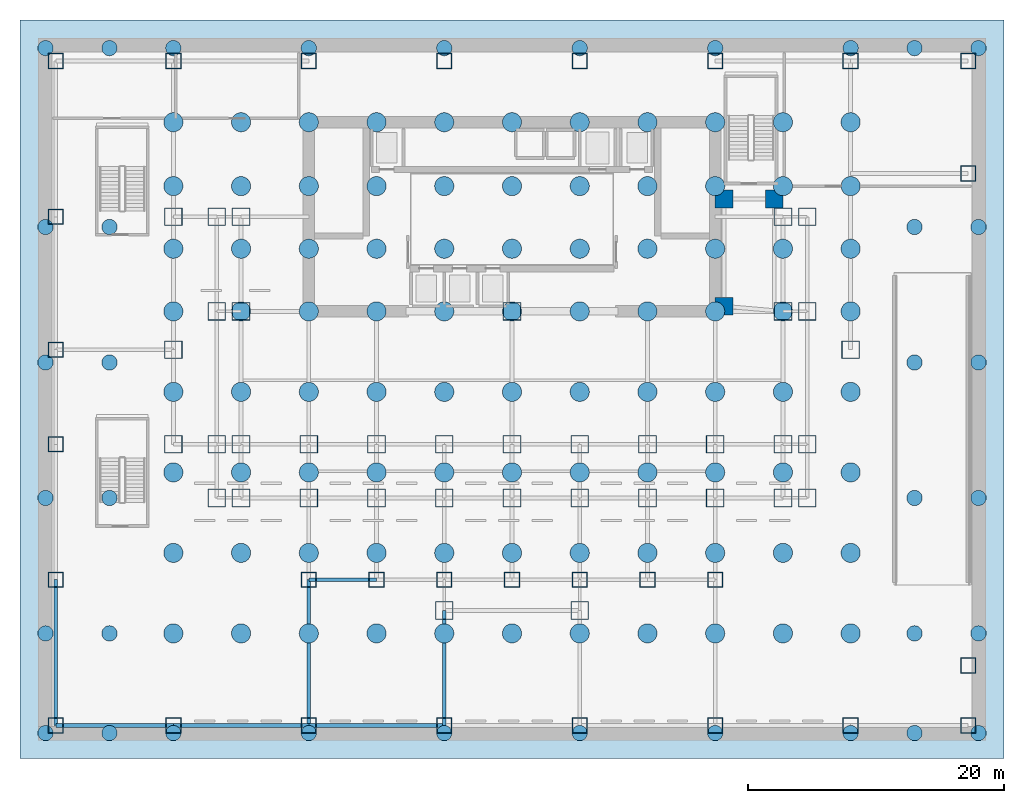
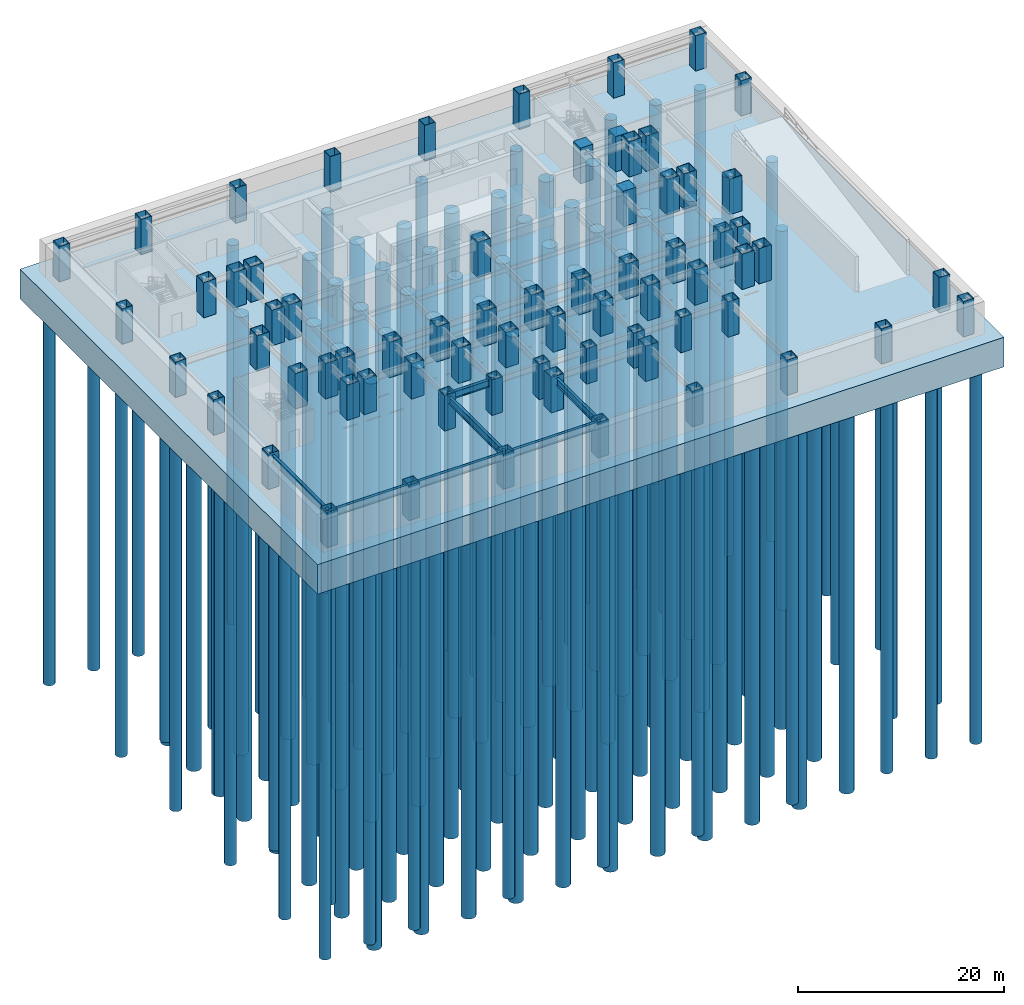
# One storey, part 1 of 7: 124 piles, 69 columns, 7 beams, 1 footing.
"""IFC4 building model written with IfcOpenShell, lengths in metres."""

from ifc_helpers import new_model, si_unit, direction, frame, origin, origin_2d, place, context, subcontext, project, spatial, polyline, rectangle, hollow_rectangle, circle, i_section, outline, extrude, material, layer, layer_set, material_profile, profile_set, type_object, element, save


model = new_model("IFC4")

# Units and contexts
model_context = context("Model", 3, precision=1e-05, world=origin(), true_north=direction((0.0, 1.0)))
body_context = subcontext(model_context, "Body", "Model", "MODEL_VIEW")
ifc_project = project(units=[si_unit("LENGTHUNIT", "METRE"), si_unit("AREAUNIT", "SQUARE_METRE"), si_unit("VOLUMEUNIT", "CUBIC_METRE"), si_unit("PLANEANGLEUNIT", "RADIAN"), si_unit("MASSUNIT", "GRAM", prefix="KILO")], contexts=[model_context])

# Site, building, storey
site_placement = place(None, origin())
site = spatial("IfcSite", under=ifc_project, at=site_placement, CompositionType="ELEMENT")
building_placement = place(site_placement, origin())
building = spatial("IfcBuilding", under=site, at=building_placement, Name="Qianlan Lanfeng Residences", CompositionType="ELEMENT")
storey_placement = place(building_placement, frame((0.0, 0.0, -8.39990234375)))
storey = spatial("IfcBuildingStorey", under=building, at=storey_placement, Name="B2", CompositionType="ELEMENT", Elevation=-8.39990234375)

# Piles
ifc_material_1 = material(Name="Concrete C42", Category="concrete")
ifc_material_profile_1 = material_profile(ifc_material_1, circle(Radius=0.60009765625, at=origin_2d()), Name="PILE D1200")
ifc_profile_set_1 = profile_set([ifc_material_profile_1], Name="Concrete C42")
pile_type_1 = type_object("IfcPileType", Name="BP-1200", PredefinedType="BORED", material=ifc_profile_set_1)
for number, where, z_axis, x_axis, name in (
    (1, (-10.0, -7.800048828125, -3.375), (0.0, 0.0, -1.0), (1.0, 0.0, 0.0), "Bored Foundation Pile BP12-001"),
    (2, (-10.0, 0.0, -3.375), (0.0, 0.0, -1.0), (1.0, 0.0, 0.0), "Bored Foundation Pile BP12-002"),
    (3, (-10.0, 10.60009765625, -3.375), (0.0, 0.0, -1.0), (1.0, 0.0, 0.0), "Bored Foundation Pile BP12-003"),
    (4, (-10.0, 21.199951171875, -3.375), (0.0, 0.0, -1.0), (1.0, 0.0, 0.0), "Bored Foundation Pile BP12-004"),
    (5, (-10.0, 31.800048828125, -3.375), (0.0, 0.0, -1.0), (1.0, 0.0, 0.0), "Bored Foundation Pile BP12-005"),
    (6, (-10.0, 45.800048828125, -3.375), (0.0, 0.0, -1.0), (1.0, 0.0, 0.0), "Bored Foundation Pile BP12-006"),
    (7, (-5.0, -7.800048828125, -3.375), (0.0, 0.0, -1.0), (1.0, 0.0, 0.0), "Bored Foundation Pile BP12-007"),
    (8, (-5.0, 0.0, -3.375), (0.0, 0.0, -1.0), (1.0, 0.0, 0.0), "Bored Foundation Pile BP12-008"),
    (9, (-5.0, 10.60009765625, -3.375), (0.0, 0.0, -1.0), (1.0, 0.0, 0.0), "Bored Foundation Pile BP12-009"),
    (10, (-5.0, 21.199951171875, -3.375), (0.0, 0.0, -1.0), (1.0, 0.0, 0.0), "Bored Foundation Pile BP12-010"),
    (11, (-5.0, 31.800048828125, -3.375), (0.0, 0.0, -1.0), (1.0, 0.0, 0.0), "Bored Foundation Pile BP12-011"),
    (12, (-5.0, 45.800048828125, -3.375), (0.0, 0.0, -1.0), (1.0, 0.0, 0.0), "Bored Foundation Pile BP12-012"),
    (13, (0.0, -7.800048828125, -3.375), (0.0, 0.0, -1.0), (1.0, 0.0, 0.0), "Bored Foundation Pile BP12-013"),
    (14, (0.0, 45.800048828125, -3.375), (0.0, 0.0, -1.0), (1.0, 0.0, 0.0), "Bored Foundation Pile BP12-014"),
    (15, (10.60009765625, -7.800048828125, -3.375), (0.0, 0.0, -1.0), (1.0, 0.0, 0.0), "Bored Foundation Pile BP12-015"),
    (16, (10.60009765625, 45.800048828125, -3.375), (0.0, 0.0, -1.0), (1.0, 0.0, 0.0), "Bored Foundation Pile BP12-016"),
    (17, (21.199951171875, -7.800048828125, -3.375), (0.0, 0.0, -1.0), (1.0, 0.0, 0.0), "Bored Foundation Pile BP12-017"),
    (18, (21.199951171875, 45.800048828125, -3.375), (0.0, 0.0, -1.0), (1.0, 0.0, 0.0), "Bored Foundation Pile BP12-018"),
    (19, (31.800048828125, -7.800048828125, -3.375), (0.0, 0.0, -1.0), (1.0, 0.0, 0.0), "Bored Foundation Pile BP12-019"),
    (20, (31.800048828125, 45.800048828125, -3.375), (0.0, 0.0, -1.0), (1.0, 0.0, 0.0), "Bored Foundation Pile BP12-020"),
    (21, (42.39990234375, -7.800048828125, -3.375), (0.0, 0.0, -1.0), (1.0, 0.0, 0.0), "Bored Foundation Pile BP12-021"),
    (22, (42.39990234375, 45.800048828125, -3.375), (0.0, 0.0, -1.0), (1.0, 0.0, 0.0), "Bored Foundation Pile BP12-022"),
    (23, (53.0, -7.800048828125, -3.375), (0.0, 0.0, -1.0), (1.0, 0.0, 0.0), "Bored Foundation Pile BP12-023"),
    (24, (53.0, 45.800048828125, -3.375), (0.0, 0.0, -1.0), (1.0, 0.0, 0.0), "Bored Foundation Pile BP12-024"),
    (25, (58.0, -7.800048828125, -3.375), (0.0, 0.0, -1.0), (1.0, 0.0, 0.0), "Bored Foundation Pile BP12-025"),
    (26, (58.0, 0.0, -3.375), (0.0, 0.0, -1.0), (1.0, 0.0, 0.0), "Bored Foundation Pile BP12-026"),
    (27, (58.0, 10.60009765625, -3.375), (0.0, 0.0, -1.0), (1.0, 0.0, 0.0), "Bored Foundation Pile BP12-027"),
    (28, (58.0, 21.199951171875, -3.375), (0.0, 0.0, -1.0), (1.0, 0.0, 0.0), "Bored Foundation Pile BP12-028"),
    (29, (58.0, 31.800048828125, -3.375), (0.0, 0.0, -1.0), (1.0, 0.0, 0.0), "Bored Foundation Pile BP12-029"),
    (30, (58.0, 45.800048828125, -3.375), (0.0, 0.0, -1.0), (1.0, 0.0, 0.0), "Bored Foundation Pile BP12-030"),
    (31, (63.0, -7.800048828125, -3.375), (0.0, 0.0, -1.0), (1.0, 0.0, 0.0), "Bored Foundation Pile BP12-031"),
    (32, (63.0, 0.0, -3.375), (0.0, 0.0, -1.0), (1.0, 0.0, 0.0), "Bored Foundation Pile BP12-032"),
    (33, (63.0, 10.60009765625, -3.375), (0.0, 0.0, -1.0), (1.0, 0.0, 0.0), "Bored Foundation Pile BP12-033"),
    (34, (63.0, 21.199951171875, -3.375), (0.0, 0.0, -1.0), (1.0, 0.0, 0.0), "Bored Foundation Pile BP12-034"),
    (35, (63.0, 31.800048828125, -3.375), (0.0, 0.0, -1.0), (1.0, 0.0, 0.0), "Bored Foundation Pile BP12-035"),
    (36, (63.0, 45.800048828125, -3.375), (0.0, 0.0, -1.0), (1.0, 0.0, 0.0), "Bored Foundation Pile BP12-036"),
):
    element("IfcPile", number, at=place(storey_placement, frame(where, z_axis=z_axis, x_axis=x_axis)), inside=storey, type_object=pile_type_1, Name=name, PredefinedType="BORED", context=body_context, shape_type="SweptSolid", body=[
        extrude(circle(Radius=0.60009765625, at=origin_2d()), origin(), (0.0, 0.0, 1.0), 45.0),
    ])
ifc_material_profile_2 = material_profile(ifc_material_1, circle(Radius=0.75, at=origin_2d()), Name="PILE D1500")
ifc_profile_set_2 = profile_set([ifc_material_profile_2], Name="Concrete C42")
pile_type_2 = type_object("IfcPileType", Name="BP-1500", PredefinedType="BORED", material=ifc_profile_set_2)
for number, where, z_axis, x_axis, name in (
    (37, (0.0, 0.0, -3.375), (0.0, 0.0, -1.0), (1.0, 0.0, 0.0), "Bored Foundation Pile BP15-001"),
    (38, (0.0, 6.300048828125, -3.375), (0.0, 0.0, -1.0), (1.0, 0.0, 0.0), "Bored Foundation Pile BP15-002"),
    (39, (0.0, 12.60009765625, -3.375), (0.0, 0.0, -1.0), (1.0, 0.0, 0.0), "Bored Foundation Pile BP15-003"),
    (40, (0.0, 18.89990234375, -3.375), (0.0, 0.0, -1.0), (1.0, 0.0, 0.0), "Bored Foundation Pile BP15-004"),
    (41, (0.0, 25.199951171875, -3.375), (0.0, 0.0, -1.0), (1.0, 0.0, 0.0), "Bored Foundation Pile BP15-005"),
    (42, (0.0, 30.10009765625, -3.375), (0.0, 0.0, -1.0), (1.0, 0.0, 0.0), "Bored Foundation Pile BP15-006"),
    (43, (0.0, 35.0, -3.375), (0.0, 0.0, -1.0), (1.0, 0.0, 0.0), "Bored Foundation Pile BP15-007"),
    (44, (0.0, 40.0, -3.375), (0.0, 0.0, -1.0), (1.0, 0.0, 0.0), "Bored Foundation Pile BP15-008"),
    (45, (5.300048828125, 0.0, -3.375), (0.0, 0.0, -1.0), (1.0, 0.0, 0.0), "Bored Foundation Pile BP15-009"),
    (46, (5.300048828125, 6.300048828125, -3.375), (0.0, 0.0, -1.0), (1.0, 0.0, 0.0), "Bored Foundation Pile BP15-010"),
    (47, (5.300048828125, 12.60009765625, -3.375), (0.0, 0.0, -1.0), (1.0, 0.0, 0.0), "Bored Foundation Pile BP15-011"),
    (48, (5.300048828125, 18.89990234375, -3.375), (0.0, 0.0, -1.0), (1.0, 0.0, 0.0), "Bored Foundation Pile BP15-012"),
    (49, (5.300048828125, 25.199951171875, -3.375), (0.0, 0.0, -1.0), (1.0, 0.0, 0.0), "Bored Foundation Pile BP15-013"),
    (50, (5.300048828125, 30.10009765625, -3.375), (0.0, 0.0, -1.0), (1.0, 0.0, 0.0), "Bored Foundation Pile BP15-014"),
    (51, (5.300048828125, 35.0, -3.375), (0.0, 0.0, -1.0), (1.0, 0.0, 0.0), "Bored Foundation Pile BP15-015"),
    (52, (5.300048828125, 40.0, -3.375), (0.0, 0.0, -1.0), (1.0, 0.0, 0.0), "Bored Foundation Pile BP15-016"),
    (53, (10.60009765625, 0.0, -3.375), (0.0, 0.0, -1.0), (1.0, 0.0, 0.0), "Bored Foundation Pile BP15-017"),
    (54, (10.60009765625, 6.300048828125, -3.375), (0.0, 0.0, -1.0), (1.0, 0.0, 0.0), "Bored Foundation Pile BP15-018"),
    (55, (10.60009765625, 12.60009765625, -3.375), (0.0, 0.0, -1.0), (1.0, 0.0, 0.0), "Bored Foundation Pile BP15-019"),
    (56, (10.60009765625, 18.89990234375, -3.375), (0.0, 0.0, -1.0), (1.0, 0.0, 0.0), "Bored Foundation Pile BP15-020"),
    (57, (10.60009765625, 25.199951171875, -3.375), (0.0, 0.0, -1.0), (1.0, 0.0, 0.0), "Bored Foundation Pile BP15-021"),
    (58, (10.60009765625, 30.10009765625, -3.375), (0.0, 0.0, -1.0), (1.0, 0.0, 0.0), "Bored Foundation Pile BP15-022"),
    (59, (10.60009765625, 35.0, -3.375), (0.0, 0.0, -1.0), (1.0, 0.0, 0.0), "Bored Foundation Pile BP15-023"),
    (60, (10.60009765625, 40.0, -3.375), (0.0, 0.0, -1.0), (1.0, 0.0, 0.0), "Bored Foundation Pile BP15-024"),
    (61, (15.89990234375, 0.0, -3.375), (0.0, 0.0, -1.0), (1.0, 0.0, 0.0), "Bored Foundation Pile BP15-025"),
    (62, (15.89990234375, 6.300048828125, -3.375), (0.0, 0.0, -1.0), (1.0, 0.0, 0.0), "Bored Foundation Pile BP15-026"),
    (63, (15.89990234375, 12.60009765625, -3.375), (0.0, 0.0, -1.0), (1.0, 0.0, 0.0), "Bored Foundation Pile BP15-027"),
    (64, (15.89990234375, 18.89990234375, -3.375), (0.0, 0.0, -1.0), (1.0, 0.0, 0.0), "Bored Foundation Pile BP15-028"),
    (65, (15.89990234375, 25.199951171875, -3.375), (0.0, 0.0, -1.0), (1.0, 0.0, 0.0), "Bored Foundation Pile BP15-029"),
    (66, (15.89990234375, 30.10009765625, -3.375), (0.0, 0.0, -1.0), (1.0, 0.0, 0.0), "Bored Foundation Pile BP15-030"),
    (67, (15.89990234375, 35.0, -3.375), (0.0, 0.0, -1.0), (1.0, 0.0, 0.0), "Bored Foundation Pile BP15-031"),
    (68, (15.89990234375, 40.0, -3.375), (0.0, 0.0, -1.0), (1.0, 0.0, 0.0), "Bored Foundation Pile BP15-032"),
    (69, (21.199951171875, 0.0, -3.375), (0.0, 0.0, -1.0), (1.0, 0.0, 0.0), "Bored Foundation Pile BP15-033"),
    (70, (21.199951171875, 6.300048828125, -3.375), (0.0, 0.0, -1.0), (1.0, 0.0, 0.0), "Bored Foundation Pile BP15-034"),
    (71, (21.199951171875, 12.60009765625, -3.375), (0.0, 0.0, -1.0), (1.0, 0.0, 0.0), "Bored Foundation Pile BP15-035"),
    (72, (21.199951171875, 18.89990234375, -3.375), (0.0, 0.0, -1.0), (1.0, 0.0, 0.0), "Bored Foundation Pile BP15-036"),
    (73, (21.199951171875, 25.199951171875, -3.375), (0.0, 0.0, -1.0), (1.0, 0.0, 0.0), "Bored Foundation Pile BP15-037"),
    (74, (21.199951171875, 30.10009765625, -3.375), (0.0, 0.0, -1.0), (1.0, 0.0, 0.0), "Bored Foundation Pile BP15-038"),
    (75, (21.199951171875, 35.0, -3.375), (0.0, 0.0, -1.0), (1.0, 0.0, 0.0), "Bored Foundation Pile BP15-039"),
    (76, (21.199951171875, 40.0, -3.375), (0.0, 0.0, -1.0), (1.0, 0.0, 0.0), "Bored Foundation Pile BP15-040"),
    (77, (26.5, 0.0, -3.375), (0.0, 0.0, -1.0), (1.0, 0.0, 0.0), "Bored Foundation Pile BP15-041"),
    (78, (26.5, 6.300048828125, -3.375), (0.0, 0.0, -1.0), (1.0, 0.0, 0.0), "Bored Foundation Pile BP15-042"),
    (79, (26.5, 12.60009765625, -3.375), (0.0, 0.0, -1.0), (1.0, 0.0, 0.0), "Bored Foundation Pile BP15-043"),
    (80, (26.5, 18.89990234375, -3.375), (0.0, 0.0, -1.0), (1.0, 0.0, 0.0), "Bored Foundation Pile BP15-044"),
    (81, (26.5, 25.199951171875, -3.375), (0.0, 0.0, -1.0), (1.0, 0.0, 0.0), "Bored Foundation Pile BP15-045"),
    (82, (26.5, 30.10009765625, -3.375), (0.0, 0.0, -1.0), (1.0, 0.0, 0.0), "Bored Foundation Pile BP15-046"),
    (83, (26.5, 35.0, -3.375), (0.0, 0.0, -1.0), (1.0, 0.0, 0.0), "Bored Foundation Pile BP15-047"),
    (84, (26.5, 40.0, -3.375), (0.0, 0.0, -1.0), (1.0, 0.0, 0.0), "Bored Foundation Pile BP15-048"),
    (85, (31.800048828125, 0.0, -3.375), (0.0, 0.0, -1.0), (1.0, 0.0, 0.0), "Bored Foundation Pile BP15-049"),
    (86, (31.800048828125, 6.300048828125, -3.375), (0.0, 0.0, -1.0), (1.0, 0.0, 0.0), "Bored Foundation Pile BP15-050"),
    (87, (31.800048828125, 12.60009765625, -3.375), (0.0, 0.0, -1.0), (1.0, 0.0, 0.0), "Bored Foundation Pile BP15-051"),
    (88, (31.800048828125, 18.89990234375, -3.375), (0.0, 0.0, -1.0), (1.0, 0.0, 0.0), "Bored Foundation Pile BP15-052"),
    (89, (31.800048828125, 25.199951171875, -3.375), (0.0, 0.0, -1.0), (1.0, 0.0, 0.0), "Bored Foundation Pile BP15-053"),
    (90, (31.800048828125, 30.10009765625, -3.375), (0.0, 0.0, -1.0), (1.0, 0.0, 0.0), "Bored Foundation Pile BP15-054"),
    (91, (31.800048828125, 35.0, -3.375), (0.0, 0.0, -1.0), (1.0, 0.0, 0.0), "Bored Foundation Pile BP15-055"),
    (92, (31.800048828125, 40.0, -3.375), (0.0, 0.0, -1.0), (1.0, 0.0, 0.0), "Bored Foundation Pile BP15-056"),
    (93, (37.10009765625, 0.0, -3.375), (0.0, 0.0, -1.0), (1.0, 0.0, 0.0), "Bored Foundation Pile BP15-057"),
    (94, (37.10009765625, 6.300048828125, -3.375), (0.0, 0.0, -1.0), (1.0, 0.0, 0.0), "Bored Foundation Pile BP15-058"),
    (95, (37.10009765625, 12.60009765625, -3.375), (0.0, 0.0, -1.0), (1.0, 0.0, 0.0), "Bored Foundation Pile BP15-059"),
    (96, (37.10009765625, 18.89990234375, -3.375), (0.0, 0.0, -1.0), (1.0, 0.0, 0.0), "Bored Foundation Pile BP15-060"),
    (97, (37.10009765625, 25.199951171875, -3.375), (0.0, 0.0, -1.0), (1.0, 0.0, 0.0), "Bored Foundation Pile BP15-061"),
    (98, (37.10009765625, 30.10009765625, -3.375), (0.0, 0.0, -1.0), (1.0, 0.0, 0.0), "Bored Foundation Pile BP15-062"),
    (99, (37.10009765625, 35.0, -3.375), (0.0, 0.0, -1.0), (1.0, 0.0, 0.0), "Bored Foundation Pile BP15-063"),
    (100, (37.10009765625, 40.0, -3.375), (0.0, 0.0, -1.0), (1.0, 0.0, 0.0), "Bored Foundation Pile BP15-064"),
    (101, (42.39990234375, 0.0, -3.375), (0.0, 0.0, -1.0), (1.0, 0.0, 0.0), "Bored Foundation Pile BP15-065"),
    (102, (42.39990234375, 6.300048828125, -3.375), (0.0, 0.0, -1.0), (1.0, 0.0, 0.0), "Bored Foundation Pile BP15-066"),
    (103, (42.39990234375, 12.60009765625, -3.375), (0.0, 0.0, -1.0), (1.0, 0.0, 0.0), "Bored Foundation Pile BP15-067"),
    (104, (42.39990234375, 18.89990234375, -3.375), (0.0, 0.0, -1.0), (1.0, 0.0, 0.0), "Bored Foundation Pile BP15-068"),
    (105, (42.39990234375, 25.199951171875, -3.375), (0.0, 0.0, -1.0), (1.0, 0.0, 0.0), "Bored Foundation Pile BP15-069"),
    (106, (42.39990234375, 30.10009765625, -3.375), (0.0, 0.0, -1.0), (1.0, 0.0, 0.0), "Bored Foundation Pile BP15-070"),
    (107, (42.39990234375, 35.0, -3.375), (0.0, 0.0, -1.0), (1.0, 0.0, 0.0), "Bored Foundation Pile BP15-071"),
    (108, (42.39990234375, 40.0, -3.375), (0.0, 0.0, -1.0), (1.0, 0.0, 0.0), "Bored Foundation Pile BP15-072"),
    (109, (47.699951171875, 0.0, -3.375), (0.0, 0.0, -1.0), (1.0, 0.0, 0.0), "Bored Foundation Pile BP15-073"),
    (110, (47.699951171875, 6.300048828125, -3.375), (0.0, 0.0, -1.0), (1.0, 0.0, 0.0), "Bored Foundation Pile BP15-074"),
    (111, (47.699951171875, 12.60009765625, -3.375), (0.0, 0.0, -1.0), (1.0, 0.0, 0.0), "Bored Foundation Pile BP15-075"),
    (112, (47.699951171875, 18.89990234375, -3.375), (0.0, 0.0, -1.0), (1.0, 0.0, 0.0), "Bored Foundation Pile BP15-076"),
    (113, (47.699951171875, 25.199951171875, -3.375), (0.0, 0.0, -1.0), (1.0, 0.0, 0.0), "Bored Foundation Pile BP15-077"),
    (114, (47.699951171875, 30.10009765625, -3.375), (0.0, 0.0, -1.0), (1.0, 0.0, 0.0), "Bored Foundation Pile BP15-078"),
    (115, (47.699951171875, 35.0, -3.375), (0.0, 0.0, -1.0), (1.0, 0.0, 0.0), "Bored Foundation Pile BP15-079"),
    (116, (47.699951171875, 40.0, -3.375), (0.0, 0.0, -1.0), (1.0, 0.0, 0.0), "Bored Foundation Pile BP15-080"),
    (117, (53.0, 0.0, -3.375), (0.0, 0.0, -1.0), (1.0, 0.0, 0.0), "Bored Foundation Pile BP15-081"),
    (118, (53.0, 6.300048828125, -3.375), (0.0, 0.0, -1.0), (1.0, 0.0, 0.0), "Bored Foundation Pile BP15-082"),
    (119, (53.0, 12.60009765625, -3.375), (0.0, 0.0, -1.0), (1.0, 0.0, 0.0), "Bored Foundation Pile BP15-083"),
    (120, (53.0, 18.89990234375, -3.375), (0.0, 0.0, -1.0), (1.0, 0.0, 0.0), "Bored Foundation Pile BP15-084"),
    (121, (53.0, 25.199951171875, -3.375), (0.0, 0.0, -1.0), (1.0, 0.0, 0.0), "Bored Foundation Pile BP15-085"),
    (122, (53.0, 30.10009765625, -3.375), (0.0, 0.0, -1.0), (1.0, 0.0, 0.0), "Bored Foundation Pile BP15-086"),
    (123, (53.0, 35.0, -3.375), (0.0, 0.0, -1.0), (1.0, 0.0, 0.0), "Bored Foundation Pile BP15-087"),
    (124, (53.0, 40.0, -3.375), (0.0, 0.0, -1.0), (1.0, 0.0, 0.0), "Bored Foundation Pile BP15-088"),
):
    element("IfcPile", number, at=place(storey_placement, frame(where, z_axis=z_axis, x_axis=x_axis)), inside=storey, type_object=pile_type_2, Name=name, PredefinedType="BORED", context=body_context, shape_type="SweptSolid", body=[
        extrude(circle(Radius=0.75, at=origin_2d()), origin(), (0.0, 0.0, 1.0), 52.0),
    ])

# Footing
ifc_material_2 = material(Name="Concrete C49", Category="concrete")
ifc_layer = layer(ifc_material_2, 3.5)
ifc_layer_set = layer_set([ifc_layer], Name="Concrete C49")
footing_type = type_object("IfcFootingType", Name="FT-RAFT-3500", PredefinedType="CAISSON_FOUNDATION", material=ifc_layer_set)
footing_placement = place(storey_placement, frame((0.0, 0.0, -3.5)))
element("IfcFooting", 125, at=footing_placement, inside=storey, type_object=footing_type, Name="Tower and Podium Piled-Raft Mat Foundation", PredefinedType="CAISSON_FOUNDATION", context=body_context, shape_type="SweptSolid", body=[
    extrude(outline(polyline([(-12.0, -9.800048828125), (65.0, -9.800048828125), (65.0, 48.0), (-12.0, 48.0), (-12.0, -9.800048828125)])), origin(), (0.0, 0.0, 1.0), 3.5),
])

# Columns
ifc_material_3 = material(Name="Steel SM570 (420 MPa)", Category="steel")
ifc_material_profile_3 = material_profile(ifc_material_3, hollow_rectangle(XDim=1.39990234375, YDim=1.39990234375, WallThickness=0.044921875, at=origin_2d()), Name="BOX 1400x1400x45")
ifc_profile_set_3 = profile_set([ifc_material_profile_3], Name="Steel SM570 (420 MPa)")
column_type_1 = type_object("IfcColumnType", Name="C-B1600", PredefinedType="COLUMN", material=ifc_profile_set_3)
for number, where, z_axis, x_axis, name in (
    (126, (21.199951171875, 1.800048828125, 0.0), (0.0, 0.0, 1.0), (1.0, 0.0, 0.0), "B2 Structural Column P_21.20_1.80"),
    (127, (31.800048828125, 1.800048828125, 0.0), (0.0, 0.0, 1.0), (1.0, 0.0, 0.0), "B2 Structural Column P_31.80_1.80"),
    (128, (26.5, 25.199951171875, 0.0), (0.0, 0.0, 1.0), (1.0, 0.0, 0.0), "B2 Structural Column CP_26.5_25.2"),
    (129, (10.60009765625, 14.800048828125, 0.0), (0.0, 0.0, 1.0), (1.0, 0.0, 0.0), "B2 Structural Column M_10.60_14.80"),
    (130, (10.60009765625, 10.60009765625, 0.0), (0.0, 0.0, 1.0), (1.0, 0.0, 0.0), "B2 Structural Column G_10.60_10.60"),
    (131, (15.89990234375, 14.800048828125, 0.0), (0.0, 0.0, 1.0), (1.0, 0.0, 0.0), "B2 Structural Column M_15.90_14.80"),
    (132, (15.89990234375, 10.60009765625, 0.0), (0.0, 0.0, 1.0), (1.0, 0.0, 0.0), "B2 Structural Column G_15.90_10.60"),
    (133, (21.199951171875, 14.800048828125, 0.0), (0.0, 0.0, 1.0), (1.0, 0.0, 0.0), "B2 Structural Column M_21.20_14.80"),
    (134, (21.199951171875, 10.60009765625, 0.0), (0.0, 0.0, 1.0), (1.0, 0.0, 0.0), "B2 Structural Column G_21.20_10.60"),
    (135, (26.5, 14.800048828125, 0.0), (0.0, 0.0, 1.0), (1.0, 0.0, 0.0), "B2 Structural Column M_26.50_14.80"),
    (136, (26.5, 10.60009765625, 0.0), (0.0, 0.0, 1.0), (1.0, 0.0, 0.0), "B2 Structural Column G_26.50_10.60"),
    (137, (31.800048828125, 14.800048828125, 0.0), (0.0, 0.0, 1.0), (1.0, 0.0, 0.0), "B2 Structural Column M_31.80_14.80"),
    (138, (31.800048828125, 10.60009765625, 0.0), (0.0, 0.0, 1.0), (1.0, 0.0, 0.0), "B2 Structural Column G_31.80_10.60"),
    (139, (37.10009765625, 14.800048828125, 0.0), (0.0, 0.0, 1.0), (1.0, 0.0, 0.0), "B2 Structural Column M_37.10_14.80"),
    (140, (37.10009765625, 10.60009765625, 0.0), (0.0, 0.0, 1.0), (1.0, 0.0, 0.0), "B2 Structural Column G_37.10_10.60"),
    (141, (42.39990234375, 14.800048828125, 0.0), (0.0, 0.0, 1.0), (1.0, 0.0, 0.0), "B2 Structural Column M_42.40_14.80"),
    (142, (42.39990234375, 10.60009765625, 0.0), (0.0, 0.0, 1.0), (1.0, 0.0, 0.0), "B2 Structural Column G_42.40_10.60"),
    (143, (3.39990234375, 10.60009765625, 0.0), (0.0, 0.0, 1.0), (1.0, 0.0, 0.0), "B2 Structural Column W_3.40_10.60"),
    (144, (3.39990234375, 14.800048828125, 0.0), (0.0, 0.0, 1.0), (1.0, 0.0, 0.0), "B2 Structural Column W_3.40_14.80"),
    (145, (3.39990234375, 25.199951171875, 0.0), (0.0, 0.0, 1.0), (1.0, 0.0, 0.0), "B2 Structural Column W_3.40_25.20"),
    (146, (3.39990234375, 32.60009765625, 0.0), (0.0, 0.0, 1.0), (1.0, 0.0, 0.0), "B2 Structural Column W_3.40_32.60"),
    (147, (5.300048828125, 10.60009765625, 0.0), (0.0, 0.0, 1.0), (1.0, 0.0, 0.0), "B2 Structural Column W_5.30_10.60"),
    (148, (5.300048828125, 14.800048828125, 0.0), (0.0, 0.0, 1.0), (1.0, 0.0, 0.0), "B2 Structural Column W_5.30_14.80"),
    (149, (5.300048828125, 25.199951171875, 0.0), (0.0, 0.0, 1.0), (1.0, 0.0, 0.0), "B2 Structural Column W_5.30_25.20"),
    (150, (5.300048828125, 32.60009765625, 0.0), (0.0, 0.0, 1.0), (1.0, 0.0, 0.0), "B2 Structural Column W_5.30_32.60"),
    (151, (47.699951171875, 10.60009765625, 0.0), (0.0, 0.0, 1.0), (1.0, 0.0, 0.0), "B2 Structural Column W_47.70_10.60"),
    (152, (47.699951171875, 14.800048828125, 0.0), (0.0, 0.0, 1.0), (1.0, 0.0, 0.0), "B2 Structural Column W_47.70_14.80"),
    (153, (47.699951171875, 25.199951171875, 0.0), (0.0, 0.0, 1.0), (1.0, 0.0, 0.0), "B2 Structural Column W_47.70_25.20"),
    (154, (47.699951171875, 32.60009765625, 0.0), (0.0, 0.0, 1.0), (1.0, 0.0, 0.0), "B2 Structural Column W_47.70_32.60"),
    (155, (49.60009765625, 10.60009765625, 0.0), (0.0, 0.0, 1.0), (1.0, 0.0, 0.0), "B2 Structural Column W_49.60_10.60"),
    (156, (49.60009765625, 14.800048828125, 0.0), (0.0, 0.0, 1.0), (1.0, 0.0, 0.0), "B2 Structural Column W_49.60_14.80"),
    (157, (49.60009765625, 25.199951171875, 0.0), (0.0, 0.0, 1.0), (1.0, 0.0, 0.0), "B2 Structural Column W_49.60_25.20"),
    (158, (49.60009765625, 32.60009765625, 0.0), (0.0, 0.0, 1.0), (1.0, 0.0, 0.0), "B2 Structural Column W_49.60_32.60"),
    (159, (0.0, 14.800048828125, 0.0), (0.0, 0.0, 1.0), (1.0, 0.0, 0.0), "B2 Structural Column P_+0.0_+14.8"),
    (160, (0.0, 22.199951171875, 0.0), (0.0, 0.0, 1.0), (1.0, 0.0, 0.0), "B2 Structural Column P_+0.0_+22.2"),
    (161, (0.0, 32.60009765625, 0.0), (0.0, 0.0, 1.0), (1.0, 0.0, 0.0), "B2 Structural Column P_+0.0_+32.6"),
    (162, (53.0, 22.199951171875, 0.0), (0.0, 0.0, 1.0), (1.0, 0.0, 0.0), "B2 Structural Column P_+53.0_+22.2"),
):
    element("IfcColumn", number, at=place(storey_placement, frame(where, z_axis=z_axis, x_axis=x_axis)), inside=storey, type_object=column_type_1, Name=name, PredefinedType="COLUMN", context=body_context, shape_type="SweptSolid", body=[
        extrude(hollow_rectangle(XDim=1.39990234375, YDim=1.39990234375, WallThickness=0.044921875, at=origin_2d()), origin(), (0.0, 0.0, 1.0), 4.199951171875),
    ])
ifc_material_profile_4 = material_profile(ifc_material_2, rectangle(XDim=1.39990234375, YDim=1.39990234375, at=origin_2d()), Name="RC 1400x1400")
ifc_profile_set_4 = profile_set([ifc_material_profile_4], Name="Concrete C49")
column_type_2 = type_object("IfcColumnType", Name="C-RC1000", PredefinedType="COLUMN", material=ifc_profile_set_4)
for number, where, z_axis, x_axis, name in (
    (163, (43.080078125, 25.60009765625, 0.0), (0.0, 0.0, 1.0), (1.0, 0.0, 0.0), "B2 Podium Stair ST-P1 Support Column 1"),
    (164, (47.02001953125, 34.0, 0.0), (0.0, 0.0, 1.0), (1.0, 0.0, 0.0), "B2 Podium Stair ST-P1 Support Column 3"),
    (165, (43.080078125, 34.0, 0.0), (0.0, 0.0, 1.0), (1.0, 0.0, 0.0), "B2 Podium Stair ST-P1 Support Column 4"),
):
    element("IfcColumn", number, at=place(storey_placement, frame(where, z_axis=z_axis, x_axis=x_axis)), inside=storey, type_object=column_type_2, Name=name, PredefinedType="COLUMN", context=body_context, shape_type="SweptSolid", body=[
        extrude(rectangle(XDim=1.39990234375, YDim=1.39990234375, at=origin_2d()), origin(), (0.0, 0.0, 1.0), 4.199951171875),
    ])
ifc_material_profile_5 = material_profile(ifc_material_3, hollow_rectangle(XDim=1.199951171875, YDim=1.199951171875, WallThickness=0.0400390625, at=origin_2d()), Name="BOX 1200x1200x40")
ifc_profile_set_5 = profile_set([ifc_material_profile_5], Name="Steel SM570 (420 MPa)")
column_type_3 = type_object("IfcColumnType", Name="CE-B1400", PredefinedType="COLUMN", material=ifc_profile_set_5)
for number, where, z_axis, x_axis, name in (
    (166, (10.60009765625, 4.199951171875, 0.0), (0.0, 0.0, 1.0), (1.0, 0.0, 0.0), "B2 Structural Column S_10.60_4.20"),
    (167, (15.89990234375, 4.199951171875, 0.0), (0.0, 0.0, 1.0), (1.0, 0.0, 0.0), "B2 Structural Column S_15.90_4.20"),
    (168, (21.199951171875, 4.199951171875, 0.0), (0.0, 0.0, 1.0), (1.0, 0.0, 0.0), "B2 Structural Column S_21.20_4.20"),
    (169, (26.5, 4.199951171875, 0.0), (0.0, 0.0, 1.0), (1.0, 0.0, 0.0), "B2 Structural Column S_26.50_4.20"),
    (170, (31.800048828125, 4.199951171875, 0.0), (0.0, 0.0, 1.0), (1.0, 0.0, 0.0), "B2 Structural Column S_31.80_4.20"),
    (171, (37.10009765625, 4.199951171875, 0.0), (0.0, 0.0, 1.0), (1.0, 0.0, 0.0), "B2 Structural Column S_37.10_4.20"),
    (172, (42.39990234375, 4.199951171875, 0.0), (0.0, 0.0, 1.0), (1.0, 0.0, 0.0), "B2 Structural Column S_42.40_4.20"),
    (173, (-9.199951171875, -7.199951171875, 0.0), (0.0, 0.0, 1.0), (1.0, 0.0, 0.0), "B2 Structural Column P_-9.2_-7.2"),
    (174, (0.0, -7.199951171875, 0.0), (0.0, 0.0, 1.0), (1.0, 0.0, 0.0), "B2 Structural Column P_+0.0_-7.2"),
    (175, (10.60009765625, -7.199951171875, 0.0), (0.0, 0.0, 1.0), (1.0, 0.0, 0.0), "B2 Structural Column P_+10.6_-7.2"),
    (176, (21.199951171875, -7.199951171875, 0.0), (0.0, 0.0, 1.0), (1.0, 0.0, 0.0), "B2 Structural Column P_+21.2_-7.2"),
    (177, (31.800048828125, -7.199951171875, 0.0), (0.0, 0.0, 1.0), (1.0, 0.0, 0.0), "B2 Structural Column P_+31.8_-7.2"),
    (178, (42.39990234375, -7.199951171875, 0.0), (0.0, 0.0, 1.0), (1.0, 0.0, 0.0), "B2 Structural Column P_+42.4_-7.2"),
    (179, (53.0, -7.199951171875, 0.0), (0.0, 0.0, 1.0), (1.0, 0.0, 0.0), "B2 Structural Column P_+53.0_-7.2"),
    (180, (62.199951171875, -7.199951171875, 0.0), (0.0, 0.0, 1.0), (1.0, 0.0, 0.0), "B2 Structural Column P_+62.2_-7.2"),
    (181, (-9.199951171875, 4.199951171875, 0.0), (0.0, 0.0, 1.0), (1.0, 0.0, 0.0), "B2 Structural Column P_-9.2_+4.2"),
    (182, (-9.199951171875, 14.800048828125, 0.0), (0.0, 0.0, 1.0), (1.0, 0.0, 0.0), "B2 Structural Column P_-9.2_+14.8"),
    (183, (-9.199951171875, 22.199951171875, 0.0), (0.0, 0.0, 1.0), (1.0, 0.0, 0.0), "B2 Structural Column P_-9.2_+22.2"),
    (184, (-9.199951171875, 32.60009765625, 0.0), (0.0, 0.0, 1.0), (1.0, 0.0, 0.0), "B2 Structural Column P_-9.2_+32.6"),
    (185, (-9.199951171875, 44.800048828125, 0.0), (0.0, 0.0, 1.0), (1.0, 0.0, 0.0), "B2 Structural Column P_-9.2_+44.8"),
    (186, (0.0, 44.800048828125, 0.0), (0.0, 0.0, 1.0), (1.0, 0.0, 0.0), "B2 Structural Column P_+0.0_+44.8"),
    (187, (10.60009765625, 44.800048828125, 0.0), (0.0, 0.0, 1.0), (1.0, 0.0, 0.0), "B2 Structural Column P_+10.6_+44.8"),
    (188, (21.199951171875, 44.800048828125, 0.0), (0.0, 0.0, 1.0), (1.0, 0.0, 0.0), "B2 Structural Column P_+21.2_+44.8"),
    (189, (31.800048828125, 44.800048828125, 0.0), (0.0, 0.0, 1.0), (1.0, 0.0, 0.0), "B2 Structural Column P_+31.8_+44.8"),
    (190, (42.39990234375, 44.800048828125, 0.0), (0.0, 0.0, 1.0), (1.0, 0.0, 0.0), "B2 Structural Column P_+42.4_+44.8"),
    (191, (53.0, 44.800048828125, 0.0), (0.0, 0.0, 1.0), (1.0, 0.0, 0.0), "B2 Structural Column P_+53.0_+44.8"),
    (192, (62.199951171875, 44.800048828125, 0.0), (0.0, 0.0, 1.0), (1.0, 0.0, 0.0), "B2 Structural Column P_+62.2_+44.8"),
    (193, (62.199951171875, -2.5, 0.0), (0.0, 0.0, 1.0), (1.0, 0.0, 0.0), "B2 Structural Column P_+62.2_-2.5"),
    (194, (62.199951171875, 36.0, 0.0), (0.0, 0.0, 1.0), (1.0, 0.0, 0.0), "B2 Structural Column P_+62.2_+36.0"),
):
    element("IfcColumn", number, at=place(storey_placement, frame(where, z_axis=z_axis, x_axis=x_axis)), inside=storey, type_object=column_type_3, Name=name, PredefinedType="COLUMN", context=body_context, shape_type="SweptSolid", body=[
        extrude(hollow_rectangle(XDim=1.199951171875, YDim=1.199951171875, WallThickness=0.0400390625, at=origin_2d()), origin(), (0.0, 0.0, 1.0), 4.199951171875),
    ])

# Beams
ifc_material_4 = material(Name="Steel SN490B", Category="steel")
ifc_material_profile_6 = material_profile(ifc_material_4, i_section(OverallWidth=0.300048828125, OverallDepth=0.85009765625, WebThickness=0.01611328125, FlangeThickness=0.031982421875, at=origin_2d()), Name="H 850x300x16x32")
ifc_profile_set_6 = profile_set([ifc_material_profile_6], Name="Steel SN490B")
beam_type_1 = type_object("IfcBeamType", Name="G-1100", PredefinedType="BEAM", material=ifc_profile_set_6)
for number, where, z_axis, x_axis, name in (
    (195, (-9.199951171875, -7.199951171875, 3.494873046875), (0.0, 1.0, 0.0), (-1.0, 0.0, 0.0), "Structural beam G-1100"),
    (196, (10.60009765625, -7.199951171875, 3.494873046875), (0.0, 1.0, 0.0), (-1.0, 0.0, 0.0), "Structural beam G-1100"),
):
    element("IfcBeam", number, at=place(storey_placement, frame(where, z_axis=z_axis, x_axis=x_axis)), inside=storey, type_object=beam_type_1, Name=name, PredefinedType="BEAM", context=body_context, shape_type="SweptSolid", body=[
        extrude(i_section(OverallWidth=0.300048828125, OverallDepth=0.85009765625, WebThickness=0.01611328125, FlangeThickness=0.031982421875, at=origin_2d()), origin(), (0.0, 0.0, 1.0), 11.39990234375),
    ])
beam_1_placement = place(storey_placement, frame((21.199951171875, -7.199951171875, 3.494873046875), z_axis=(0.0, 1.0, 0.0), x_axis=(-1.0, 0.0, 0.0)))
element("IfcBeam", 197, at=beam_1_placement, inside=storey, type_object=beam_type_1, Name="Structural beam G-1100", PredefinedType="BEAM", context=body_context, shape_type="SweptSolid", body=[
    extrude(i_section(OverallWidth=0.300048828125, OverallDepth=0.85009765625, WebThickness=0.01611328125, FlangeThickness=0.031982421875, at=origin_2d()), origin(), (0.0, 0.0, 1.0), 9.0),
])
ifc_material_profile_7 = material_profile(ifc_material_4, i_section(OverallWidth=0.300048828125, OverallDepth=0.800048828125, WebThickness=0.01611328125, FlangeThickness=0.028076171875, at=origin_2d()), Name="H 800x300x16x28")
ifc_profile_set_7 = profile_set([ifc_material_profile_7], Name="Steel SN490B")
beam_type_2 = type_object("IfcBeamType", Name="SG-950", PredefinedType="SPANDREL", material=ifc_profile_set_7)
beam_2_placement = place(storey_placement, frame((-9.199951171875, -7.199951171875, 3.52001953125), z_axis=(1.0, 0.0, 0.0), x_axis=(0.0, 1.0, 0.0)))
element("IfcBeam", 198, at=beam_2_placement, inside=storey, type_object=beam_type_2, Name="Structural beam SG-950", PredefinedType="SPANDREL", context=body_context, shape_type="SweptSolid", body=[
    extrude(i_section(OverallWidth=0.300048828125, OverallDepth=0.800048828125, WebThickness=0.01611328125, FlangeThickness=0.028076171875, at=origin_2d()), origin(), (0.0, 0.0, 1.0), 9.199951171875),
])
beam_3_placement = place(storey_placement, frame((0.0, -7.199951171875, 3.52001953125), z_axis=(1.0, 0.0, 0.0), x_axis=(0.0, 1.0, 0.0)))
element("IfcBeam", 199, at=beam_3_placement, inside=storey, type_object=beam_type_2, Name="Structural beam SG-950", PredefinedType="SPANDREL", context=body_context, shape_type="SweptSolid", body=[
    extrude(i_section(OverallWidth=0.300048828125, OverallDepth=0.800048828125, WebThickness=0.01611328125, FlangeThickness=0.028076171875, at=origin_2d()), origin(), (0.0, 0.0, 1.0), 10.60009765625),
])
beam_4_placement = place(storey_placement, frame((10.60009765625, -7.199951171875, 3.52001953125), z_axis=(1.0, 0.0, 0.0), x_axis=(0.0, 1.0, 0.0)))
element("IfcBeam", 200, at=beam_4_placement, inside=storey, type_object=beam_type_2, Name="Structural beam SG-950", PredefinedType="SPANDREL", context=body_context, shape_type="SweptSolid", body=[
    extrude(i_section(OverallWidth=0.300048828125, OverallDepth=0.800048828125, WebThickness=0.01611328125, FlangeThickness=0.028076171875, at=origin_2d()), origin(), (0.0, 0.0, 1.0), 10.599853515625),
])
beam_5_placement = place(storey_placement, frame((10.60009765625, 4.199951171875, 3.52001953125), z_axis=(1.0, 0.0, 0.0), x_axis=(0.0, 1.0, 0.0)))
element("IfcBeam", 201, at=beam_5_placement, inside=storey, type_object=beam_type_2, Name="Structural beam SG-950", PredefinedType="SPANDREL", context=body_context, shape_type="SweptSolid", body=[
    extrude(i_section(OverallWidth=0.300048828125, OverallDepth=0.800048828125, WebThickness=0.01611328125, FlangeThickness=0.028076171875, at=origin_2d()), origin(), (0.0, 0.0, 1.0), 5.2998046875),
])

save(model, "model.ifc")
